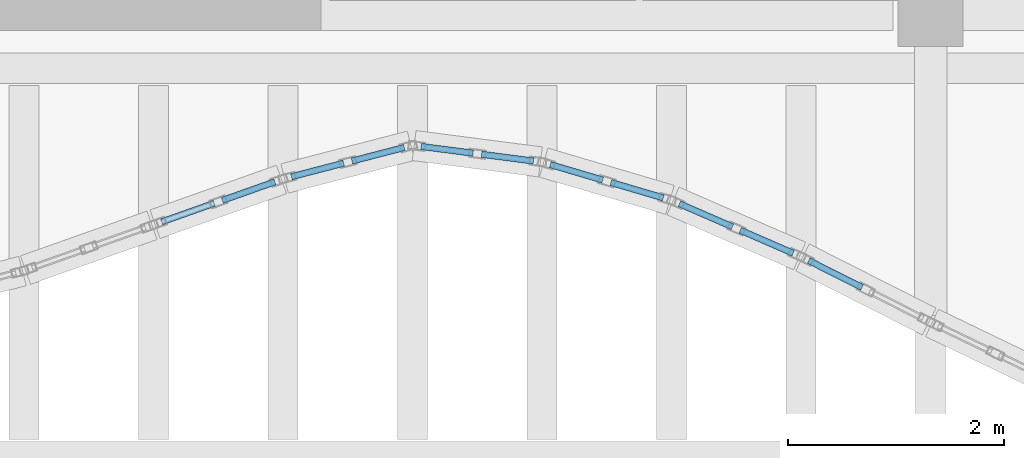
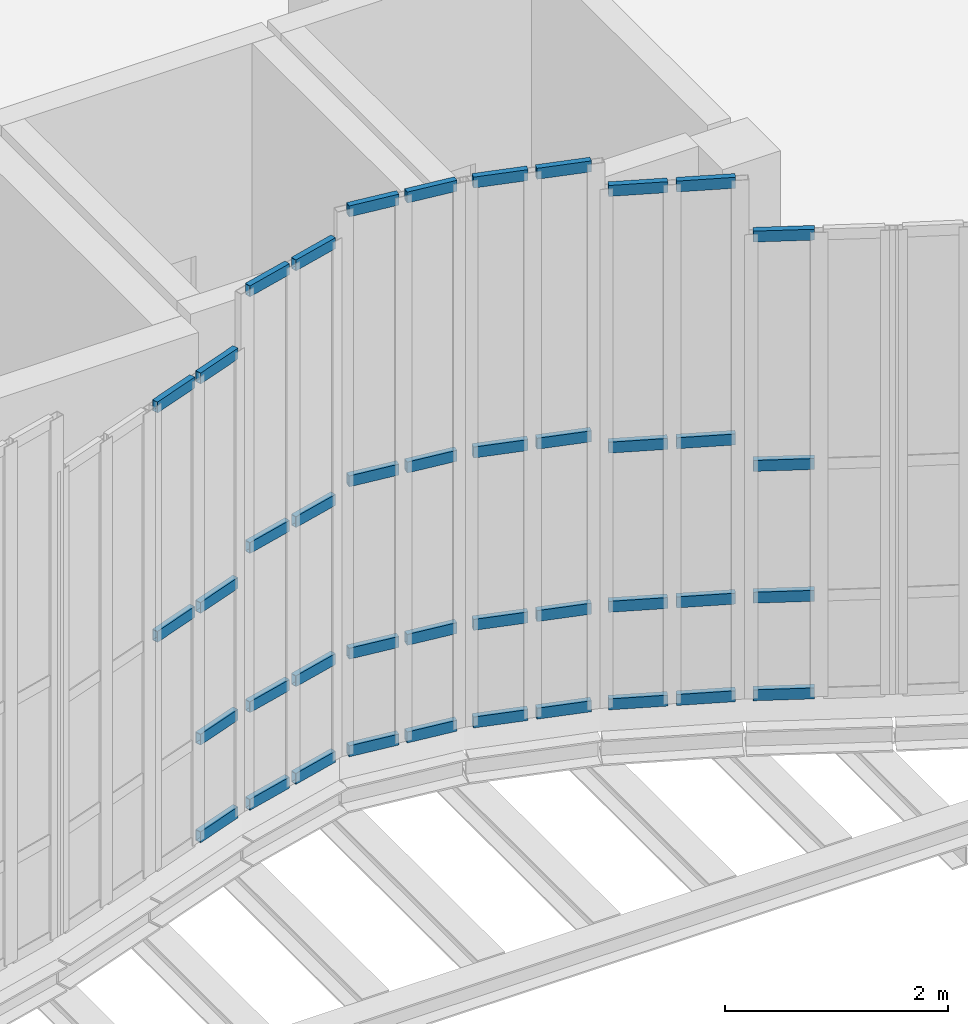
# One storey, part 37 of 76: 42 members, 6 elements without a shape of their own.
"""IFC4 building model written with IfcOpenShell, lengths in metres."""

import ifcopenshell
import ifcopenshell.guid

model = None  # the IFC model being written
_history = None  # IfcOwnerHistory: only IFC2X3 demands one
_inside = {}  # id of a spatial element -> (the spatial element, [elements in it])
_under = {}  # id of a project, library or spatial element -> (it, [spatial elements below it])
_declared = {}  # id of a project -> (the project, [libraries it declares])
_typed = {}  # id of a type object -> (the type object, [elements of that type])
_made_of = {}  # id of a material, layer set ... -> (it, [elements and type objects made of it])


def new_model(schema):
    """Start an empty IFC model of exactly this schema.

    Asked for "IFC4X3", IfcOpenShell would pick the latest addendum, in which some entities
    have other attributes; the version numbers below select the first issue.
    IFC2X3 requires an IfcOwnerHistory on every rooted entity: one is made here for all.
    """
    global model, _history
    if schema == "IFC4X3":
        model = ifcopenshell.file(schema_version=(4, 3, 0, 0))
    else:
        model = ifcopenshell.file(schema=schema)
    _inside.clear()
    _under.clear()
    _declared.clear()
    _typed.clear()
    _made_of.clear()
    _history = None
    if model.schema == "IFC2X3":
        org = make("IfcOrganization", Name="unknown")
        user = make(
            "IfcPersonAndOrganization",
            ThePerson=make("IfcPerson", FamilyName="unknown"),
            TheOrganization=org,
        )
        app = make(
            "IfcApplication",
            ApplicationDeveloper=org,
            Version="unknown",
            ApplicationFullName="unknown",
            ApplicationIdentifier="unknown",
        )
        _history = make(
            "IfcOwnerHistory",
            OwningUser=user,
            OwningApplication=app,
            ChangeAction="ADDED",
            CreationDate=0,
        )
    return model


def make(cls, **values):
    """One entity of the class cls with the attributes given. An attribute that is None is left unset."""
    return model.create_entity(
        cls, **{name: value for name, value in values.items() if value is not None}
    )


def rooted(cls, **values):
    """An entity with a GlobalId (a new one), such as an element, a storey or a relation."""
    return make(cls, GlobalId=ifcopenshell.guid.new(), OwnerHistory=_history, **values)


def si_unit(unit_type, name, prefix=None):
    """IfcSIUnit, for example si_unit("LENGTHUNIT", "METRE", prefix="MILLI")."""
    return make("IfcSIUnit", UnitType=unit_type, Prefix=prefix, Name=name)


def assignment(units):
    """IfcUnitAssignment: the units of a project."""
    return None if units is None else make("IfcUnitAssignment", Units=units)


def point(xyz):
    """IfcCartesianPoint."""
    return None if xyz is None else make("IfcCartesianPoint", Coordinates=xyz)


def direction(xyz):
    """IfcDirection."""
    return None if xyz is None else make("IfcDirection", DirectionRatios=xyz)


def frame(location, z_axis=None, x_axis=None):
    """IfcAxis2Placement3D, a coordinate frame: its origin and axes. An axis left out is left unset."""
    return make(
        "IfcAxis2Placement3D",
        Location=point(location),
        Axis=direction(z_axis),
        RefDirection=direction(x_axis),
    )


def frame_2d(location, x_axis=None):
    """IfcAxis2Placement2D, a coordinate frame in the plane: its origin and x axis."""
    return make(
        "IfcAxis2Placement2D", Location=point(location), RefDirection=direction(x_axis)
    )


def origin():
    """The frame at (0, 0, 0) with its axes left unset."""
    return frame((0.0, 0.0, 0.0))


def origin_2d():
    """The frame at (0, 0) in the plane with its x axis left unset."""
    return frame_2d((0.0, 0.0))


def place(relative_to, where):
    """IfcLocalPlacement: puts the frame where relative to a parent placement (None: the world)."""
    return make(
        "IfcLocalPlacement", PlacementRelTo=relative_to, RelativePlacement=where
    )


def context(
    kind, dimensions, precision=None, world=None, true_north=None, identifier=None
):
    """IfcGeometricRepresentationContext, for example the 3D "Model" context."""
    return make(
        "IfcGeometricRepresentationContext",
        ContextIdentifier=identifier,
        ContextType=kind,
        CoordinateSpaceDimension=dimensions,
        Precision=precision,
        WorldCoordinateSystem=world,
        TrueNorth=true_north,
    )


def subcontext(parent, identifier, kind, view, scale=None):
    """IfcGeometricRepresentationSubContext, for example "Body" below "Model"."""
    return make(
        "IfcGeometricRepresentationSubContext",
        ContextIdentifier=identifier,
        ContextType=kind,
        ParentContext=parent,
        TargetScale=scale,
        TargetView=view,
    )


def project(units=None, contexts=None):
    """IfcProject with its units and contexts."""
    return rooted(
        "IfcProject",
        Name="project",
        RepresentationContexts=contexts,
        UnitsInContext=assignment(units),
    )


def spatial(cls, under=None, at=None, **own):
    """A site, building, storey or space (cls), placed at a placement, below another one or the project."""
    s = rooted(cls, ObjectPlacement=at, **own)
    if under is not None:
        _under.setdefault(under.id(), (under, []))[1].append(s)
    return s


def profile(cls, at=None, kind="AREA", **sizes):
    """A parametric profile (cls). Its sizes go by their IFC names, for example OverallWidth=200.0."""
    return make(cls, ProfileType=kind, Position=at, **sizes)


def hollow_rectangle(**sizes):
    """IfcRectangleHollowProfileDef."""
    return profile("IfcRectangleHollowProfileDef", **sizes)


def extrude(swept, where, along, depth):
    """IfcExtrudedAreaSolid: the profile swept, set in the frame where, extruded along a direction by depth."""
    return make(
        "IfcExtrudedAreaSolid",
        SweptArea=swept,
        Position=where,
        ExtrudedDirection=direction(along),
        Depth=depth,
    )


def shape(context_of_items, identifier, shape_type, items):
    """IfcShapeRepresentation: the items that make up one representation, for example the "Body"."""
    return make(
        "IfcShapeRepresentation",
        ContextOfItems=context_of_items,
        RepresentationIdentifier=identifier,
        RepresentationType=shape_type,
        Items=items,
    )


def material(Name=None, Category=None):
    """IfcMaterial."""
    return make("IfcMaterial", Name=Name, Category=Category)


def layer(
    of_material, thickness, ventilated=None, Name=None, Category=None, Priority=None
):
    """IfcMaterialLayer: one layer of a wall or slab, of a material (None: an air gap)."""
    return make(
        "IfcMaterialLayer",
        Material=of_material,
        LayerThickness=thickness,
        IsVentilated=ventilated,
        Name=Name,
        Category=Category,
        Priority=Priority,
    )


def layer_set(layers, Name=None):
    """IfcMaterialLayerSet."""
    return make("IfcMaterialLayerSet", MaterialLayers=layers, LayerSetName=Name)


def material_profile(
    of_material, cross_section, Name=None, Category=None, Priority=None
):
    """IfcMaterialProfile: a cross section and its material."""
    return make(
        "IfcMaterialProfile",
        Name=Name,
        Material=of_material,
        Profile=cross_section,
        Priority=Priority,
        Category=Category,
    )


def profile_set(profiles, Name=None, composite=None):
    """IfcMaterialProfileSet."""
    return make(
        "IfcMaterialProfileSet",
        Name=Name,
        MaterialProfiles=profiles,
        CompositeProfile=composite,
    )


def made_of(thing, what):
    """Note that an element or type object is made of a material, layer set ...; save() writes the relation."""
    if what is not None:
        _made_of.setdefault(what.id(), (what, []))[1].append(thing)
    return thing


def type_object(cls, material=None, **own):
    """A type object (cls), such as IfcWallType, which elements share."""
    return made_of(rooted(cls, **own), material)


def element(
    cls,
    number,
    at=None,
    inside=None,
    cuts=None,
    type_object=None,
    material=None,
    context=None,
    identifier="Body",
    shape_type=None,
    held_by="IfcProductDefinitionShape",
    body=None,
    shapes=None,
    **own,
):
    """One element of the class cls, such as IfcWall. Its Tag is "e" and its number.

    at: its placement. inside: the storey or other place that contains it. cuts: it is an
    opening in that element (IfcRelVoidsElement). A single representation is given by context,
    identifier, shape_type and body (its items); several are given by shapes. held_by: the class
    of the entity that holds the representations. save() writes the other relations.
    """
    e = rooted(cls, Tag="e%d" % number, ObjectPlacement=at, **own)
    if body is not None:
        shapes = [shape(context, identifier, shape_type, body)]
    if shapes is not None:
        e.Representation = make(held_by, Representations=shapes)
    if inside is not None:
        _inside.setdefault(inside.id(), (inside, []))[1].append(e)
    if cuts is not None:
        rooted(
            "IfcRelVoidsElement", RelatingBuildingElement=cuts, RelatedOpeningElement=e
        )
    if type_object is not None:
        _typed.setdefault(type_object.id(), (type_object, []))[1].append(e)
    return made_of(e, material)


def aggregate(whole, parts):
    """IfcRelAggregates: a whole, such as a stair, and the parts it consists of."""
    return rooted("IfcRelAggregates", RelatingObject=whole, RelatedObjects=parts)


def save(model, path):
    """Write the relations noted so far, then the file.

    IfcRelAggregates (storeys below a building ...), IfcRelContainedInSpatialStructure (elements
    in a storey), IfcRelDefinesByType, IfcRelAssociatesMaterial and IfcRelDeclares: one each for
    every whole, place, type object, material and project.
    """
    for whole, parts in _under.values():
        aggregate(whole, parts)
    for where, things in _inside.values():
        rooted(
            "IfcRelContainedInSpatialStructure",
            RelatedElements=things,
            RelatingStructure=where,
        )
    for kind, things in _typed.values():
        rooted("IfcRelDefinesByType", RelatedObjects=things, RelatingType=kind)
    for what, things in _made_of.values():
        rooted("IfcRelAssociatesMaterial", RelatedObjects=things, RelatingMaterial=what)
    for by, libraries in _declared.values():
        rooted("IfcRelDeclares", RelatingContext=by, RelatedDefinitions=libraries)
    model.write(path)


model = new_model("IFC4")

# Units and contexts
model_context = context("Model", 3, precision=1e-05, world=origin(), true_north=direction((0.0, 1.0)))
body_context = subcontext(model_context, "Body", "Model", "MODEL_VIEW")
ifc_project = project(units=[si_unit("LENGTHUNIT", "METRE"), si_unit("AREAUNIT", "SQUARE_METRE"), si_unit("VOLUMEUNIT", "CUBIC_METRE"), si_unit("PLANEANGLEUNIT", "RADIAN"), si_unit("MASSUNIT", "GRAM", prefix="KILO"), si_unit("THERMODYNAMICTEMPERATUREUNIT", "KELVIN"), si_unit("POWERUNIT", "WATT")], contexts=[model_context])

# Site, building, storey
site_placement = place(None, origin())
site = spatial("IfcSite", under=ifc_project, at=site_placement, CompositionType="ELEMENT")
building_placement = place(site_placement, origin())
building = spatial("IfcBuilding", under=site, at=building_placement, Name="Kaldorven Railside Theatre", CompositionType="ELEMENT")
storey_placement = place(building_placement, frame((0.0, 0.0, 14.39990234375)))
storey = spatial("IfcBuildingStorey", under=building, at=storey_placement, Name="L03", CompositionType="ELEMENT", Elevation=14.39990234375)

# Curtain wall, members
ifc_material_1 = material(Name="Low-E laminated solar-control glass", Category="glass")
ifc_layer_1 = layer(ifc_material_1, 0.159912109375, Name="Low-E laminated solar-control glass")
ifc_layer_set_1 = layer_set([ifc_layer_1], Name="Low-E laminated solar-control glass")
curtain_wall_type_1 = type_object("IfcCurtainWallType", Name="CWT-08", PredefinedType="USERDEFINED", material=ifc_layer_set_1)
curtain_wall_1_placement = place(storey_placement, origin())
curtain_wall_1 = element("IfcCurtainWall", 1, at=curtain_wall_1_placement, inside=storey, type_object=curtain_wall_type_1, Name="Sinusoidal Fluted Curtain Wall CW-L03-S25", ObjectType="FLUTED GLAZING", PredefinedType="USERDEFINED")
ifc_material_2 = material(Name="Anodised bronze aluminium", Category="aluminium")
ifc_material_profile = material_profile(ifc_material_2, hollow_rectangle(XDim=0.06005859375, YDim=0.1201171875, WallThickness=0.0048828125, at=origin_2d()), Name="RHS 120x60x5")
ifc_profile_set = profile_set([ifc_material_profile], Name="Anodised bronze aluminium")
member_type = type_object("IfcMemberType", Name="CWT-120", PredefinedType="USERDEFINED", material=ifc_profile_set)
member_1_placement = place(storey_placement, frame((65.67529296875, 17.276611328125, 2.545166015625), z_axis=(0.94256215944, 0.334030800363, 0.0), x_axis=(-0.334030800363, 0.94256215944, 0.0)))
member_1 = element("IfcMember", 2, at=member_1_placement, type_object=member_type, Name="CW-L03-S25 transom 1.3", ObjectType="TRANSOM", PredefinedType="USERDEFINED", context=body_context, shape_type="SweptSolid", body=[
    extrude(hollow_rectangle(XDim=0.06005859375, YDim=0.1201171875, WallThickness=0.0048828125, at=origin_2d()), origin(), (0.0, 0.0, 1.0), 0.516845703125),
])
member_2_placement = place(storey_placement, frame((65.67529296875, 17.276611328125, 5.06005859375), z_axis=(0.94256215944, 0.334030800363, 0.0), x_axis=(-0.334030800363, 0.94256215944, 0.0)))
member_2 = element("IfcMember", 3, at=member_2_placement, type_object=member_type, Name="CW-L03-S25 transom 1.4", ObjectType="TRANSOM", PredefinedType="USERDEFINED", context=body_context, shape_type="SweptSolid", body=[
    extrude(hollow_rectangle(XDim=0.06005859375, YDim=0.1201171875, WallThickness=0.0048828125, at=origin_2d()), origin(), (0.0, 0.0, 1.0), 0.516845703125),
])
member_3_placement = place(storey_placement, frame((66.23779296875, 17.475830078125, 0.030029296875), z_axis=(0.942658214948, 0.333759628763, 0.0), x_axis=(-0.333759628763, 0.942658214948, 0.0)))
member_3 = element("IfcMember", 4, at=member_3_placement, type_object=member_type, Name="CW-L03-S25 transom 2.1", ObjectType="TRANSOM", PredefinedType="USERDEFINED", context=body_context, shape_type="SweptSolid", body=[
    extrude(hollow_rectangle(XDim=0.06005859375, YDim=0.1201171875, WallThickness=0.0048828125, at=origin_2d()), origin(), (0.0, 0.0, 1.0), 0.516357421875),
])
member_4_placement = place(storey_placement, frame((66.23779296875, 17.475830078125, 1.10009765625), z_axis=(0.942658214948, 0.333759628763, 0.0), x_axis=(-0.333759628763, 0.942658214948, 0.0)))
member_4 = element("IfcMember", 5, at=member_4_placement, type_object=member_type, Name="CW-L03-S25 transom 2.2", ObjectType="TRANSOM", PredefinedType="USERDEFINED", context=body_context, shape_type="SweptSolid", body=[
    extrude(hollow_rectangle(XDim=0.06005859375, YDim=0.1201171875, WallThickness=0.0048828125, at=origin_2d()), origin(), (0.0, 0.0, 1.0), 0.516357421875),
])
member_5_placement = place(storey_placement, frame((66.23779296875, 17.475830078125, 2.545166015625), z_axis=(0.942658214948, 0.333759628763, 0.0), x_axis=(-0.333759628763, 0.942658214948, 0.0)))
member_5 = element("IfcMember", 6, at=member_5_placement, type_object=member_type, Name="CW-L03-S25 transom 2.3", ObjectType="TRANSOM", PredefinedType="USERDEFINED", context=body_context, shape_type="SweptSolid", body=[
    extrude(hollow_rectangle(XDim=0.06005859375, YDim=0.1201171875, WallThickness=0.0048828125, at=origin_2d()), origin(), (0.0, 0.0, 1.0), 0.516357421875),
])
member_6_placement = place(storey_placement, frame((66.23779296875, 17.475830078125, 5.06005859375), z_axis=(0.942658214948, 0.333759628763, 0.0), x_axis=(-0.333759628763, 0.942658214948, 0.0)))
member_6 = element("IfcMember", 7, at=member_6_placement, type_object=member_type, Name="CW-L03-S25 transom 2.4", ObjectType="TRANSOM", PredefinedType="USERDEFINED", context=body_context, shape_type="SweptSolid", body=[
    extrude(hollow_rectangle(XDim=0.06005859375, YDim=0.1201171875, WallThickness=0.0048828125, at=origin_2d()), origin(), (0.0, 0.0, 1.0), 0.516357421875),
])
aggregate(curtain_wall_1, [member_1, member_2, member_3, member_4, member_5, member_6])

ifc_layer_2 = layer(ifc_material_1, 0.159912109375, Name="Low-E laminated solar-control glass")
ifc_layer_set_2 = layer_set([ifc_layer_2], Name="Low-E laminated solar-control glass")
curtain_wall_type_2 = type_object("IfcCurtainWallType", Name="CWT-09", PredefinedType="USERDEFINED", material=ifc_layer_set_2)
curtain_wall_2_placement = place(storey_placement, origin())
curtain_wall_2 = element("IfcCurtainWall", 8, at=curtain_wall_2_placement, inside=storey, type_object=curtain_wall_type_2, Name="Sinusoidal Fluted Curtain Wall CW-L03-S26", ObjectType="FLUTED GLAZING", PredefinedType="USERDEFINED")
member_7_placement = place(storey_placement, frame((66.87744140625, 17.695068359375, 0.030029296875), z_axis=(0.967979318949, 0.251029954561, 0.0), x_axis=(-0.251029954561, 0.967979318949, 0.0)))
member_7 = element("IfcMember", 9, at=member_7_placement, type_object=member_type, Name="CW-L03-S26 transom 1.1", ObjectType="TRANSOM", PredefinedType="USERDEFINED", context=body_context, shape_type="SweptSolid", body=[
    extrude(hollow_rectangle(XDim=0.06005859375, YDim=0.1201171875, WallThickness=0.0048828125, at=origin_2d()), origin(), (0.0, 0.0, 1.0), 0.5),
])
member_8_placement = place(storey_placement, frame((66.87744140625, 17.695068359375, 1.10009765625), z_axis=(0.967979318949, 0.251029954561, 0.0), x_axis=(-0.251029954561, 0.967979318949, 0.0)))
member_8 = element("IfcMember", 10, at=member_8_placement, type_object=member_type, Name="CW-L03-S26 transom 1.2", ObjectType="TRANSOM", PredefinedType="USERDEFINED", context=body_context, shape_type="SweptSolid", body=[
    extrude(hollow_rectangle(XDim=0.06005859375, YDim=0.1201171875, WallThickness=0.0048828125, at=origin_2d()), origin(), (0.0, 0.0, 1.0), 0.5),
])
member_9_placement = place(storey_placement, frame((66.87744140625, 17.695068359375, 2.84521484375), z_axis=(0.967979318949, 0.251029954561, 0.0), x_axis=(-0.251029954561, 0.967979318949, 0.0)))
member_9 = element("IfcMember", 11, at=member_9_placement, type_object=member_type, Name="CW-L03-S26 transom 1.3", ObjectType="TRANSOM", PredefinedType="USERDEFINED", context=body_context, shape_type="SweptSolid", body=[
    extrude(hollow_rectangle(XDim=0.06005859375, YDim=0.1201171875, WallThickness=0.0048828125, at=origin_2d()), origin(), (0.0, 0.0, 1.0), 0.5),
])
member_10_placement = place(storey_placement, frame((66.87744140625, 17.695068359375, 5.66015625), z_axis=(0.967979318949, 0.251029954561, 0.0), x_axis=(-0.251029954561, 0.967979318949, 0.0)))
member_10 = element("IfcMember", 12, at=member_10_placement, type_object=member_type, Name="CW-L03-S26 transom 1.4", ObjectType="TRANSOM", PredefinedType="USERDEFINED", context=body_context, shape_type="SweptSolid", body=[
    extrude(hollow_rectangle(XDim=0.06005859375, YDim=0.1201171875, WallThickness=0.0048828125, at=origin_2d()), origin(), (0.0, 0.0, 1.0), 0.5),
])
member_11_placement = place(storey_placement, frame((67.438720703125, 17.840576171875, 0.030029296875), z_axis=(0.967979318949, 0.251029954561, 0.0), x_axis=(-0.251029954561, 0.967979318949, 0.0)))
member_11 = element("IfcMember", 13, at=member_11_placement, type_object=member_type, Name="CW-L03-S26 transom 2.1", ObjectType="TRANSOM", PredefinedType="USERDEFINED", context=body_context, shape_type="SweptSolid", body=[
    extrude(hollow_rectangle(XDim=0.06005859375, YDim=0.1201171875, WallThickness=0.0048828125, at=origin_2d()), origin(), (0.0, 0.0, 1.0), 0.5),
])
member_12_placement = place(storey_placement, frame((67.438720703125, 17.840576171875, 1.10009765625), z_axis=(0.967979318949, 0.251029954561, 0.0), x_axis=(-0.251029954561, 0.967979318949, 0.0)))
member_12 = element("IfcMember", 14, at=member_12_placement, type_object=member_type, Name="CW-L03-S26 transom 2.2", ObjectType="TRANSOM", PredefinedType="USERDEFINED", context=body_context, shape_type="SweptSolid", body=[
    extrude(hollow_rectangle(XDim=0.06005859375, YDim=0.1201171875, WallThickness=0.0048828125, at=origin_2d()), origin(), (0.0, 0.0, 1.0), 0.5),
])
member_13_placement = place(storey_placement, frame((67.438720703125, 17.840576171875, 2.84521484375), z_axis=(0.967979318949, 0.251029954561, 0.0), x_axis=(-0.251029954561, 0.967979318949, 0.0)))
member_13 = element("IfcMember", 15, at=member_13_placement, type_object=member_type, Name="CW-L03-S26 transom 2.3", ObjectType="TRANSOM", PredefinedType="USERDEFINED", context=body_context, shape_type="SweptSolid", body=[
    extrude(hollow_rectangle(XDim=0.06005859375, YDim=0.1201171875, WallThickness=0.0048828125, at=origin_2d()), origin(), (0.0, 0.0, 1.0), 0.5),
])
member_14_placement = place(storey_placement, frame((67.438720703125, 17.840576171875, 5.66015625), z_axis=(0.967979318949, 0.251029954561, 0.0), x_axis=(-0.251029954561, 0.967979318949, 0.0)))
member_14 = element("IfcMember", 16, at=member_14_placement, type_object=member_type, Name="CW-L03-S26 transom 2.4", ObjectType="TRANSOM", PredefinedType="USERDEFINED", context=body_context, shape_type="SweptSolid", body=[
    extrude(hollow_rectangle(XDim=0.06005859375, YDim=0.1201171875, WallThickness=0.0048828125, at=origin_2d()), origin(), (0.0, 0.0, 1.0), 0.5),
])
aggregate(curtain_wall_2, [member_7, member_8, member_9, member_10, member_11, member_12, member_13, member_14])

ifc_layer_3 = layer(ifc_material_1, 0.159912109375, Name="Low-E laminated solar-control glass")
ifc_layer_set_3 = layer_set([ifc_layer_3], Name="Low-E laminated solar-control glass")
curtain_wall_type_3 = type_object("IfcCurtainWallType", Name="CWT-10", PredefinedType="USERDEFINED", material=ifc_layer_set_3)
curtain_wall_3_placement = place(storey_placement, origin())
curtain_wall_3 = element("IfcCurtainWall", 17, at=curtain_wall_3_placement, inside=storey, type_object=curtain_wall_type_3, Name="Sinusoidal Fluted Curtain Wall CW-L03-S27", ObjectType="FLUTED GLAZING", PredefinedType="USERDEFINED")
member_15_placement = place(storey_placement, frame((68.079345703125, 17.975830078125, 0.030029296875), z_axis=(0.991662051315, -0.128865728496, 0.0), x_axis=(0.128865728496, 0.991662051315, 0.0)))
member_15 = element("IfcMember", 18, at=member_15_placement, type_object=member_type, Name="CW-L03-S27 transom 1.1", ObjectType="TRANSOM", PredefinedType="USERDEFINED", context=body_context, shape_type="SweptSolid", body=[
    extrude(hollow_rectangle(XDim=0.06005859375, YDim=0.1201171875, WallThickness=0.0048828125, at=origin_2d()), origin(), (0.0, 0.0, 1.0), 0.485107421875),
])
member_16_placement = place(storey_placement, frame((68.079345703125, 17.975830078125, 1.10009765625), z_axis=(0.991662051315, -0.128865728496, 0.0), x_axis=(0.128865728496, 0.991662051315, 0.0)))
member_16 = element("IfcMember", 19, at=member_16_placement, type_object=member_type, Name="CW-L03-S27 transom 1.2", ObjectType="TRANSOM", PredefinedType="USERDEFINED", context=body_context, shape_type="SweptSolid", body=[
    extrude(hollow_rectangle(XDim=0.06005859375, YDim=0.1201171875, WallThickness=0.0048828125, at=origin_2d()), origin(), (0.0, 0.0, 1.0), 0.485107421875),
])
member_17_placement = place(storey_placement, frame((68.079345703125, 17.975830078125, 2.989990234375), z_axis=(0.991662051315, -0.128865728496, 0.0), x_axis=(0.128865728496, 0.991662051315, 0.0)))
member_17 = element("IfcMember", 20, at=member_17_placement, type_object=member_type, Name="CW-L03-S27 transom 1.3", ObjectType="TRANSOM", PredefinedType="USERDEFINED", context=body_context, shape_type="SweptSolid", body=[
    extrude(hollow_rectangle(XDim=0.06005859375, YDim=0.1201171875, WallThickness=0.0048828125, at=origin_2d()), origin(), (0.0, 0.0, 1.0), 0.485107421875),
])
member_18_placement = place(storey_placement, frame((68.079345703125, 17.975830078125, 5.9501953125), z_axis=(0.991662051315, -0.128865728496, 0.0), x_axis=(0.128865728496, 0.991662051315, 0.0)))
member_18 = element("IfcMember", 21, at=member_18_placement, type_object=member_type, Name="CW-L03-S27 transom 1.4", ObjectType="TRANSOM", PredefinedType="USERDEFINED", context=body_context, shape_type="SweptSolid", body=[
    extrude(hollow_rectangle(XDim=0.06005859375, YDim=0.1201171875, WallThickness=0.0048828125, at=origin_2d()), origin(), (0.0, 0.0, 1.0), 0.485107421875),
])
member_19_placement = place(storey_placement, frame((68.6396484375, 17.903076171875, 0.030029296875), z_axis=(0.991662051315, -0.128865728496, 0.0), x_axis=(0.128865728496, 0.991662051315, 0.0)))
member_19 = element("IfcMember", 22, at=member_19_placement, type_object=member_type, Name="CW-L03-S27 transom 2.1", ObjectType="TRANSOM", PredefinedType="USERDEFINED", context=body_context, shape_type="SweptSolid", body=[
    extrude(hollow_rectangle(XDim=0.06005859375, YDim=0.1201171875, WallThickness=0.0048828125, at=origin_2d()), origin(), (0.0, 0.0, 1.0), 0.485107421875),
])
member_20_placement = place(storey_placement, frame((68.6396484375, 17.903076171875, 1.10009765625), z_axis=(0.991662051315, -0.128865728496, 0.0), x_axis=(0.128865728496, 0.991662051315, 0.0)))
member_20 = element("IfcMember", 23, at=member_20_placement, type_object=member_type, Name="CW-L03-S27 transom 2.2", ObjectType="TRANSOM", PredefinedType="USERDEFINED", context=body_context, shape_type="SweptSolid", body=[
    extrude(hollow_rectangle(XDim=0.06005859375, YDim=0.1201171875, WallThickness=0.0048828125, at=origin_2d()), origin(), (0.0, 0.0, 1.0), 0.485107421875),
])
member_21_placement = place(storey_placement, frame((68.6396484375, 17.903076171875, 2.989990234375), z_axis=(0.991662051315, -0.128865728496, 0.0), x_axis=(0.128865728496, 0.991662051315, 0.0)))
member_21 = element("IfcMember", 24, at=member_21_placement, type_object=member_type, Name="CW-L03-S27 transom 2.3", ObjectType="TRANSOM", PredefinedType="USERDEFINED", context=body_context, shape_type="SweptSolid", body=[
    extrude(hollow_rectangle(XDim=0.06005859375, YDim=0.1201171875, WallThickness=0.0048828125, at=origin_2d()), origin(), (0.0, 0.0, 1.0), 0.485107421875),
])
member_22_placement = place(storey_placement, frame((68.6396484375, 17.903076171875, 5.9501953125), z_axis=(0.991662051315, -0.128865728496, 0.0), x_axis=(0.128865728496, 0.991662051315, 0.0)))
member_22 = element("IfcMember", 25, at=member_22_placement, type_object=member_type, Name="CW-L03-S27 transom 2.4", ObjectType="TRANSOM", PredefinedType="USERDEFINED", context=body_context, shape_type="SweptSolid", body=[
    extrude(hollow_rectangle(XDim=0.06005859375, YDim=0.1201171875, WallThickness=0.0048828125, at=origin_2d()), origin(), (0.0, 0.0, 1.0), 0.485107421875),
])
aggregate(curtain_wall_3, [member_15, member_16, member_17, member_18, member_19, member_20, member_21, member_22])

ifc_layer_4 = layer(ifc_material_1, 0.159912109375, Name="Low-E laminated solar-control glass")
ifc_layer_set_4 = layer_set([ifc_layer_4], Name="Low-E laminated solar-control glass")
curtain_wall_type_4 = type_object("IfcCurtainWallType", Name="CWT-11", PredefinedType="USERDEFINED", material=ifc_layer_set_4)
curtain_wall_4_placement = place(storey_placement, origin())
curtain_wall_4 = element("IfcCurtainWall", 26, at=curtain_wall_4_placement, inside=storey, type_object=curtain_wall_type_4, Name="Sinusoidal Fluted Curtain Wall CW-L03-S28", ObjectType="FLUTED GLAZING", PredefinedType="USERDEFINED")
member_23_placement = place(storey_placement, frame((69.276611328125, 17.8076171875, 0.030029296875), z_axis=(0.959157704719, -0.282871874668, 0.0), x_axis=(0.282871874668, 0.959157704719, 0.0)))
member_23 = element("IfcMember", 27, at=member_23_placement, type_object=member_type, Name="CW-L03-S28 transom 1.1", ObjectType="TRANSOM", PredefinedType="USERDEFINED", context=body_context, shape_type="SweptSolid", body=[
    extrude(hollow_rectangle(XDim=0.06005859375, YDim=0.1201171875, WallThickness=0.0048828125, at=origin_2d()), origin(), (0.0, 0.0, 1.0), 0.505859375),
])
member_24_placement = place(storey_placement, frame((69.276611328125, 17.8076171875, 1.10009765625), z_axis=(0.959157704719, -0.282871874668, 0.0), x_axis=(0.282871874668, 0.959157704719, 0.0)))
member_24 = element("IfcMember", 28, at=member_24_placement, type_object=member_type, Name="CW-L03-S28 transom 1.2", ObjectType="TRANSOM", PredefinedType="USERDEFINED", context=body_context, shape_type="SweptSolid", body=[
    extrude(hollow_rectangle(XDim=0.06005859375, YDim=0.1201171875, WallThickness=0.0048828125, at=origin_2d()), origin(), (0.0, 0.0, 1.0), 0.505859375),
])
member_25_placement = place(storey_placement, frame((69.276611328125, 17.8076171875, 2.989990234375), z_axis=(0.959157704719, -0.282871874668, 0.0), x_axis=(0.282871874668, 0.959157704719, 0.0)))
member_25 = element("IfcMember", 29, at=member_25_placement, type_object=member_type, Name="CW-L03-S28 transom 1.3", ObjectType="TRANSOM", PredefinedType="USERDEFINED", context=body_context, shape_type="SweptSolid", body=[
    extrude(hollow_rectangle(XDim=0.06005859375, YDim=0.1201171875, WallThickness=0.0048828125, at=origin_2d()), origin(), (0.0, 0.0, 1.0), 0.505859375),
])
member_26_placement = place(storey_placement, frame((69.276611328125, 17.8076171875, 5.9501953125), z_axis=(0.959157704719, -0.282871874668, 0.0), x_axis=(0.282871874668, 0.959157704719, 0.0)))
member_26 = element("IfcMember", 30, at=member_26_placement, type_object=member_type, Name="CW-L03-S28 transom 1.4", ObjectType="TRANSOM", PredefinedType="USERDEFINED", context=body_context, shape_type="SweptSolid", body=[
    extrude(hollow_rectangle(XDim=0.06005859375, YDim=0.1201171875, WallThickness=0.0048828125, at=origin_2d()), origin(), (0.0, 0.0, 1.0), 0.505859375),
])
member_27_placement = place(storey_placement, frame((69.83837890625, 17.64208984375, 0.030029296875), z_axis=(0.959119052593, -0.283002902729, 0.0), x_axis=(0.283002902729, 0.959119052593, 0.0)))
member_27 = element("IfcMember", 31, at=member_27_placement, type_object=member_type, Name="CW-L03-S28 transom 2.1", ObjectType="TRANSOM", PredefinedType="USERDEFINED", context=body_context, shape_type="SweptSolid", body=[
    extrude(hollow_rectangle(XDim=0.06005859375, YDim=0.1201171875, WallThickness=0.0048828125, at=origin_2d()), origin(), (0.0, 0.0, 1.0), 0.505615234375),
])
member_28_placement = place(storey_placement, frame((69.83837890625, 17.64208984375, 1.10009765625), z_axis=(0.959119052593, -0.283002902729, 0.0), x_axis=(0.283002902729, 0.959119052593, 0.0)))
member_28 = element("IfcMember", 32, at=member_28_placement, type_object=member_type, Name="CW-L03-S28 transom 2.2", ObjectType="TRANSOM", PredefinedType="USERDEFINED", context=body_context, shape_type="SweptSolid", body=[
    extrude(hollow_rectangle(XDim=0.06005859375, YDim=0.1201171875, WallThickness=0.0048828125, at=origin_2d()), origin(), (0.0, 0.0, 1.0), 0.505615234375),
])
member_29_placement = place(storey_placement, frame((69.83837890625, 17.64208984375, 2.989990234375), z_axis=(0.959119052593, -0.283002902729, 0.0), x_axis=(0.283002902729, 0.959119052593, 0.0)))
member_29 = element("IfcMember", 33, at=member_29_placement, type_object=member_type, Name="CW-L03-S28 transom 2.3", ObjectType="TRANSOM", PredefinedType="USERDEFINED", context=body_context, shape_type="SweptSolid", body=[
    extrude(hollow_rectangle(XDim=0.06005859375, YDim=0.1201171875, WallThickness=0.0048828125, at=origin_2d()), origin(), (0.0, 0.0, 1.0), 0.505615234375),
])
member_30_placement = place(storey_placement, frame((69.83837890625, 17.64208984375, 5.9501953125), z_axis=(0.959119052593, -0.283002902729, 0.0), x_axis=(0.283002902729, 0.959119052593, 0.0)))
member_30 = element("IfcMember", 34, at=member_30_placement, type_object=member_type, Name="CW-L03-S28 transom 2.4", ObjectType="TRANSOM", PredefinedType="USERDEFINED", context=body_context, shape_type="SweptSolid", body=[
    extrude(hollow_rectangle(XDim=0.06005859375, YDim=0.1201171875, WallThickness=0.0048828125, at=origin_2d()), origin(), (0.0, 0.0, 1.0), 0.505615234375),
])
aggregate(curtain_wall_4, [member_23, member_24, member_25, member_26, member_27, member_28, member_29, member_30])

ifc_layer_5 = layer(ifc_material_1, 0.159912109375, Name="Low-E laminated solar-control glass")
ifc_layer_set_5 = layer_set([ifc_layer_5], Name="Low-E laminated solar-control glass")
curtain_wall_type_5 = type_object("IfcCurtainWallType", Name="CWT-12", PredefinedType="USERDEFINED", material=ifc_layer_set_5)
curtain_wall_5_placement = place(storey_placement, origin())
curtain_wall_5 = element("IfcCurtainWall", 35, at=curtain_wall_5_placement, inside=storey, type_object=curtain_wall_type_5, Name="Sinusoidal Fluted Curtain Wall CW-L03-S29", ObjectType="FLUTED GLAZING", PredefinedType="USERDEFINED")
member_31_placement = place(storey_placement, frame((70.473388671875, 17.444580078125, 0.030029296875), z_axis=(0.917004668274, -0.398876470056, 0.0), x_axis=(0.398876470056, 0.917004668274, 0.0)))
member_31 = element("IfcMember", 36, at=member_31_placement, type_object=member_type, Name="CW-L03-S29 transom 1.1", ObjectType="TRANSOM", PredefinedType="USERDEFINED", context=body_context, shape_type="SweptSolid", body=[
    extrude(hollow_rectangle(XDim=0.06005859375, YDim=0.1201171875, WallThickness=0.0048828125, at=origin_2d()), origin(), (0.0, 0.0, 1.0), 0.534423828125),
])
member_32_placement = place(storey_placement, frame((70.473388671875, 17.444580078125, 1.10009765625), z_axis=(0.917004668274, -0.398876470056, 0.0), x_axis=(0.398876470056, 0.917004668274, 0.0)))
member_32 = element("IfcMember", 37, at=member_32_placement, type_object=member_type, Name="CW-L03-S29 transom 1.2", ObjectType="TRANSOM", PredefinedType="USERDEFINED", context=body_context, shape_type="SweptSolid", body=[
    extrude(hollow_rectangle(XDim=0.06005859375, YDim=0.1201171875, WallThickness=0.0048828125, at=origin_2d()), origin(), (0.0, 0.0, 1.0), 0.534423828125),
])
member_33_placement = place(storey_placement, frame((70.473388671875, 17.444580078125, 2.84521484375), z_axis=(0.917004668274, -0.398876470056, 0.0), x_axis=(0.398876470056, 0.917004668274, 0.0)))
member_33 = element("IfcMember", 38, at=member_33_placement, type_object=member_type, Name="CW-L03-S29 transom 1.3", ObjectType="TRANSOM", PredefinedType="USERDEFINED", context=body_context, shape_type="SweptSolid", body=[
    extrude(hollow_rectangle(XDim=0.06005859375, YDim=0.1201171875, WallThickness=0.0048828125, at=origin_2d()), origin(), (0.0, 0.0, 1.0), 0.534423828125),
])
member_34_placement = place(storey_placement, frame((70.473388671875, 17.444580078125, 5.66015625), z_axis=(0.917004668274, -0.398876470056, 0.0), x_axis=(0.398876470056, 0.917004668274, 0.0)))
member_34 = element("IfcMember", 39, at=member_34_placement, type_object=member_type, Name="CW-L03-S29 transom 1.4", ObjectType="TRANSOM", PredefinedType="USERDEFINED", context=body_context, shape_type="SweptSolid", body=[
    extrude(hollow_rectangle(XDim=0.06005859375, YDim=0.1201171875, WallThickness=0.0048828125, at=origin_2d()), origin(), (0.0, 0.0, 1.0), 0.534423828125),
])
member_35_placement = place(storey_placement, frame((71.03662109375, 17.199462890625, 0.030029296875), z_axis=(0.917004668274, -0.398876470056, 0.0), x_axis=(0.398876470056, 0.917004668274, 0.0)))
member_35 = element("IfcMember", 40, at=member_35_placement, type_object=member_type, Name="CW-L03-S29 transom 2.1", ObjectType="TRANSOM", PredefinedType="USERDEFINED", context=body_context, shape_type="SweptSolid", body=[
    extrude(hollow_rectangle(XDim=0.06005859375, YDim=0.1201171875, WallThickness=0.0048828125, at=origin_2d()), origin(), (0.0, 0.0, 1.0), 0.534423828125),
])
member_36_placement = place(storey_placement, frame((71.03662109375, 17.199462890625, 1.10009765625), z_axis=(0.917004668274, -0.398876470056, 0.0), x_axis=(0.398876470056, 0.917004668274, 0.0)))
member_36 = element("IfcMember", 41, at=member_36_placement, type_object=member_type, Name="CW-L03-S29 transom 2.2", ObjectType="TRANSOM", PredefinedType="USERDEFINED", context=body_context, shape_type="SweptSolid", body=[
    extrude(hollow_rectangle(XDim=0.06005859375, YDim=0.1201171875, WallThickness=0.0048828125, at=origin_2d()), origin(), (0.0, 0.0, 1.0), 0.534423828125),
])
member_37_placement = place(storey_placement, frame((71.03662109375, 17.199462890625, 2.84521484375), z_axis=(0.917004668274, -0.398876470056, 0.0), x_axis=(0.398876470056, 0.917004668274, 0.0)))
member_37 = element("IfcMember", 42, at=member_37_placement, type_object=member_type, Name="CW-L03-S29 transom 2.3", ObjectType="TRANSOM", PredefinedType="USERDEFINED", context=body_context, shape_type="SweptSolid", body=[
    extrude(hollow_rectangle(XDim=0.06005859375, YDim=0.1201171875, WallThickness=0.0048828125, at=origin_2d()), origin(), (0.0, 0.0, 1.0), 0.534423828125),
])
member_38_placement = place(storey_placement, frame((71.03662109375, 17.199462890625, 5.66015625), z_axis=(0.917004668274, -0.398876470056, 0.0), x_axis=(0.398876470056, 0.917004668274, 0.0)))
member_38 = element("IfcMember", 43, at=member_38_placement, type_object=member_type, Name="CW-L03-S29 transom 2.4", ObjectType="TRANSOM", PredefinedType="USERDEFINED", context=body_context, shape_type="SweptSolid", body=[
    extrude(hollow_rectangle(XDim=0.06005859375, YDim=0.1201171875, WallThickness=0.0048828125, at=origin_2d()), origin(), (0.0, 0.0, 1.0), 0.534423828125),
])
aggregate(curtain_wall_5, [member_31, member_32, member_33, member_34, member_35, member_36, member_37, member_38])

ifc_layer_6 = layer(ifc_material_1, 0.159912109375, Name="Low-E laminated solar-control glass")
ifc_layer_set_6 = layer_set([ifc_layer_6], Name="Low-E laminated solar-control glass")
curtain_wall_type_6 = type_object("IfcCurtainWallType", Name="CWT-13", PredefinedType="USERDEFINED", material=ifc_layer_set_6)
curtain_wall_6_placement = place(storey_placement, origin())
curtain_wall_6 = element("IfcCurtainWall", 44, at=curtain_wall_6_placement, inside=storey, type_object=curtain_wall_type_6, Name="Sinusoidal Fluted Curtain Wall CW-L03-S30", ObjectType="FLUTED GLAZING", PredefinedType="USERDEFINED")
member_39_placement = place(storey_placement, frame((71.67138671875, 16.918212890625, 0.030029296875), z_axis=(0.892384777665, -0.451275313519, 0.0), x_axis=(0.451275313519, 0.892384777665, 0.0)))
member_39 = element("IfcMember", 45, at=member_39_placement, type_object=member_type, Name="CW-L03-S30 transom 1.1", ObjectType="TRANSOM", PredefinedType="USERDEFINED", context=body_context, shape_type="SweptSolid", body=[
    extrude(hollow_rectangle(XDim=0.06005859375, YDim=0.1201171875, WallThickness=0.0048828125, at=origin_2d()), origin(), (0.0, 0.0, 1.0), 0.55224609375),
])
member_40_placement = place(storey_placement, frame((71.67138671875, 16.918212890625, 1.10009765625), z_axis=(0.892384777665, -0.451275313519, 0.0), x_axis=(0.451275313519, 0.892384777665, 0.0)))
member_40 = element("IfcMember", 46, at=member_40_placement, type_object=member_type, Name="CW-L03-S30 transom 1.2", ObjectType="TRANSOM", PredefinedType="USERDEFINED", context=body_context, shape_type="SweptSolid", body=[
    extrude(hollow_rectangle(XDim=0.06005859375, YDim=0.1201171875, WallThickness=0.0048828125, at=origin_2d()), origin(), (0.0, 0.0, 1.0), 0.55224609375),
])
member_41_placement = place(storey_placement, frame((71.67138671875, 16.918212890625, 2.545166015625), z_axis=(0.892384777665, -0.451275313519, 0.0), x_axis=(0.451275313519, 0.892384777665, 0.0)))
member_41 = element("IfcMember", 47, at=member_41_placement, type_object=member_type, Name="CW-L03-S30 transom 1.3", ObjectType="TRANSOM", PredefinedType="USERDEFINED", context=body_context, shape_type="SweptSolid", body=[
    extrude(hollow_rectangle(XDim=0.06005859375, YDim=0.1201171875, WallThickness=0.0048828125, at=origin_2d()), origin(), (0.0, 0.0, 1.0), 0.55224609375),
])
member_42_placement = place(storey_placement, frame((71.67138671875, 16.918212890625, 5.06005859375), z_axis=(0.892384777665, -0.451275313519, 0.0), x_axis=(0.451275313519, 0.892384777665, 0.0)))
member_42 = element("IfcMember", 48, at=member_42_placement, type_object=member_type, Name="CW-L03-S30 transom 1.4", ObjectType="TRANSOM", PredefinedType="USERDEFINED", context=body_context, shape_type="SweptSolid", body=[
    extrude(hollow_rectangle(XDim=0.06005859375, YDim=0.1201171875, WallThickness=0.0048828125, at=origin_2d()), origin(), (0.0, 0.0, 1.0), 0.55224609375),
])
aggregate(curtain_wall_6, [member_39, member_40, member_41, member_42])

save(model, "model.ifc")
